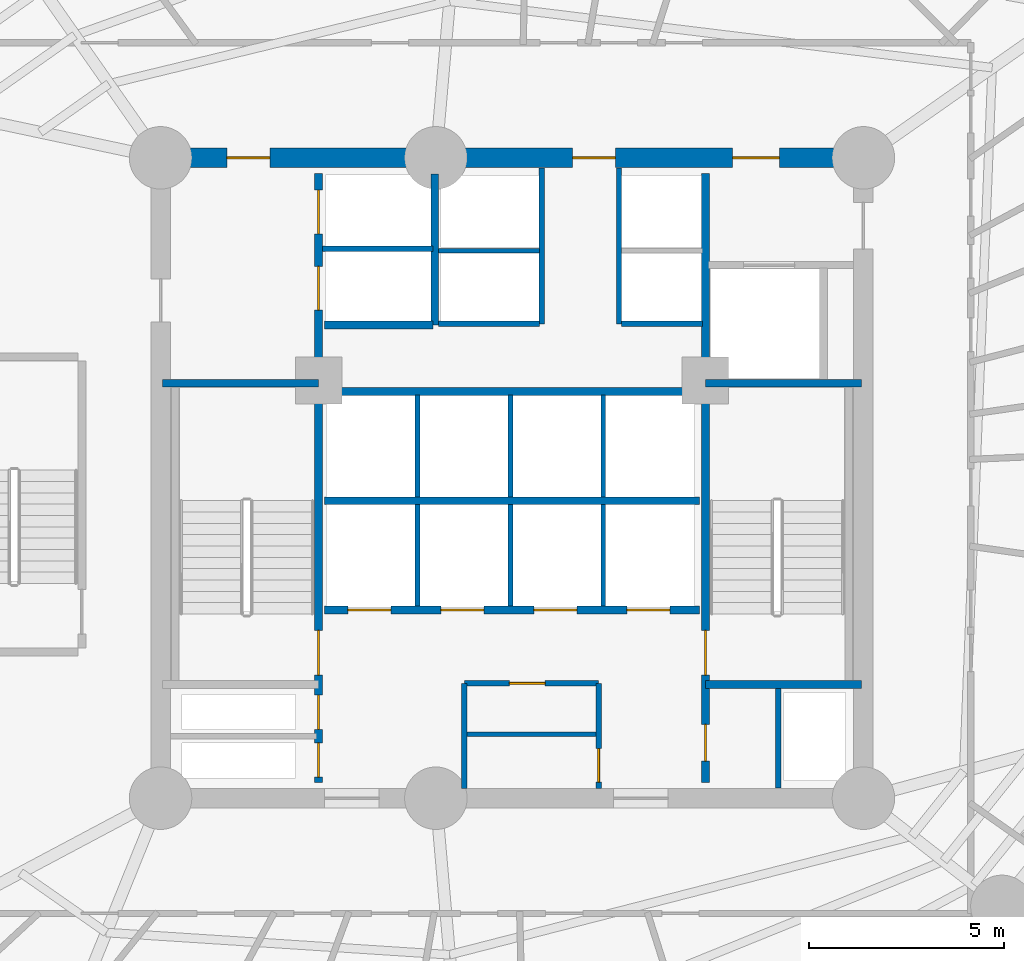
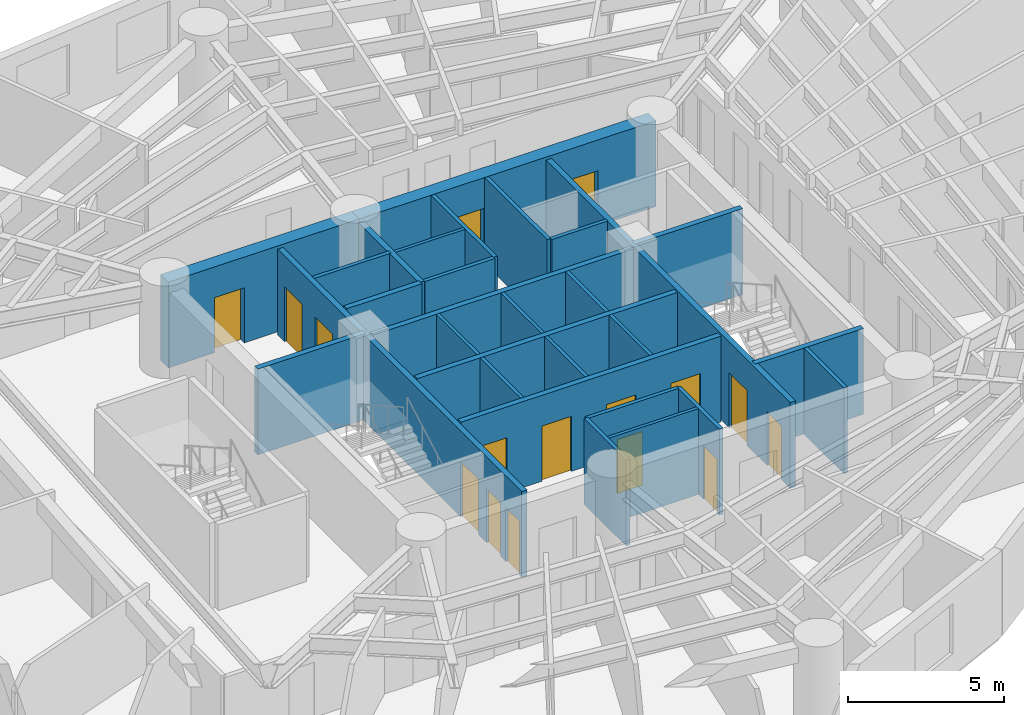
# One storey, part 4 of 9: 29 walls, 16 doors, 16 openings.
"""IFC4 building model written with IfcOpenShell, lengths in metres."""

from ifc_helpers import new_model, si_unit, direction, frame, frame_2d, origin, origin_with_axes, place, context, subcontext, project, spatial, rectangle, extrude, source, transform, mapped, material, layer, layer_set, type_object, element, fill, save


model = new_model("IFC4")

# Units and contexts
model_context = context("Model", 3, precision=1e-05, world=origin(), true_north=direction((0.0, 1.0)))
body_context = subcontext(model_context, "Body", "Model", "MODEL_VIEW")
ifc_project = project(units=[si_unit("LENGTHUNIT", "METRE"), si_unit("AREAUNIT", "SQUARE_METRE"), si_unit("VOLUMEUNIT", "CUBIC_METRE"), si_unit("PLANEANGLEUNIT", "RADIAN"), si_unit("MASSUNIT", "GRAM", prefix="KILO")], contexts=[model_context])

# Site, building, storey
site_placement = place(None, origin())
site = spatial("IfcSite", under=ifc_project, at=site_placement, CompositionType="ELEMENT")
building_placement = place(site_placement, origin())
building = spatial("IfcBuilding", under=site, at=building_placement, Name="Karkom Vertical University and Central Library", CompositionType="ELEMENT")
storey_placement = place(building_placement, frame((0.0, 0.0, 48.10009765625)))
storey = spatial("IfcBuildingStorey", under=building, at=storey_placement, Name="L12", CompositionType="ELEMENT", Elevation=48.10009765625)

# Walls
ifc_material_1 = material(Name="Moisture-resistant drywall 120mm", Category="gypsum")
ifc_layer_1 = layer(ifc_material_1, 0.1201171875)
ifc_layer_set_1 = layer_set([ifc_layer_1], Name="Moisture-resistant drywall 120mm")
wall_type_1 = type_object("IfcWallType", Name="INT-WL-INT-120", PredefinedType="PARTITIONING", material=ifc_layer_set_1)
wall_1_placement = place(storey_placement, frame((27.280029296875, 19.93994140625, 0.0), z_axis=(0.0, 0.0, 1.0), x_axis=(1.0, 0.0, 0.0)))
element("IfcWall", 1, at=wall_1_placement, inside=storey, type_object=wall_type_1, Name="Level 12 Interior Partition Wall L12-CW-K4-DIV", PredefinedType="PARTITIONING", context=body_context, shape_type="SweptSolid", body=[
    extrude(rectangle(XDim=3.43994140625, YDim=0.1201171875, at=frame_2d((1.719970703125, 0.0))), origin(), (0.0, 0.0, 1.0), 3.349853515625),
])
ifc_layer_2 = layer(ifc_material_1, 0.1201171875)
ifc_layer_set_2 = layer_set([ifc_layer_2], Name="Moisture-resistant drywall 120mm")
wall_type_2 = type_object("IfcWallType", Name="INT-WL-INT-120H", PredefinedType="PARTITIONING", material=ifc_layer_set_2)
for number, where, z_axis, x_axis, name in (
    (2, (26.080078125, 23.219970703125, 0.0), (0.0, 0.0, 1.0), (0.0, 1.0, 0.0), "Level 12 Interior Partition Wall L12-CW-PL-DIV1"),
    (3, (28.4599609375, 23.219970703125, 0.0), (0.0, 0.0, 1.0), (0.0, 1.0, 0.0), "Level 12 Interior Partition Wall L12-CW-PL-DIV2"),
    (4, (30.840087890625, 23.219970703125, 0.0), (0.0, 0.0, 1.0), (0.0, 1.0, 0.0), "Level 12 Interior Partition Wall L12-CW-PL-DIV3"),
    (5, (26.080078125, 26.02001953125, 0.0), (0.0, 0.0, 1.0), (0.0, 1.0, 0.0), "Level 12 Interior Partition Wall L12-CW-PM-DIV1"),
    (6, (28.4599609375, 26.02001953125, 0.0), (0.0, 0.0, 1.0), (0.0, 1.0, 0.0), "Level 12 Interior Partition Wall L12-CW-PM-DIV2"),
    (7, (30.840087890625, 26.02001953125, 0.0), (0.0, 0.0, 1.0), (0.0, 1.0, 0.0), "Level 12 Interior Partition Wall L12-CW-PM-DIV3"),
):
    element("IfcWall", number, at=place(storey_placement, frame(where, z_axis=z_axis, x_axis=x_axis)), inside=storey, type_object=wall_type_2, Name=name, PredefinedType="PARTITIONING", context=body_context, shape_type="SweptSolid", body=[
        extrude(rectangle(XDim=2.60009765625, YDim=0.1201171875, at=frame_2d((1.300048828125, 0.0))), origin(), (0.0, 0.0, 1.0), 3.349853515625),
    ])
wall_2_placement = place(storey_placement, frame((26.6201171875, 32.320068359375, 0.0), z_axis=(0.0, 0.0, 1.0), x_axis=(1.0, 0.0, 0.0)))
element("IfcWall", 8, at=wall_2_placement, inside=storey, type_object=wall_type_2, Name="Level 12 Interior Partition Wall L12-CW-PH-MW", PredefinedType="PARTITIONING", context=body_context, shape_type="SweptSolid", body=[
    extrude(rectangle(XDim=2.579833984375, YDim=0.1201171875, at=frame_2d((1.2900390625, 0.0))), origin(), (0.0, 0.0, 1.0), 3.349853515625),
])

# Wall, opening, door
ifc_material_2 = material(Name="Metal-stud gypsum partition 140mm", Category="gypsum")
ifc_layer_3 = layer(ifc_material_2, 0.139892578125)
ifc_layer_set_3 = layer_set([ifc_layer_3], Name="Metal-stud gypsum partition 140mm")
wall_type_3 = type_object("IfcWallType", Name="INT-WL-SUB-140", PredefinedType="PARTITIONING", material=ifc_layer_set_3)
wall_3_placement = place(storey_placement, frame((27.280029296875, 21.239990234375, 0.0), z_axis=(0.0, 0.0, 1.0), x_axis=(1.0, 0.0, 0.0)))
wall_3 = element("IfcWall", 9, at=wall_3_placement, inside=storey, type_object=wall_type_3, Name="Level 12 Interior Partition Wall L12-CW-KBAY-N", PredefinedType="PARTITIONING", context=body_context, shape_type="SweptSolid", body=[
    extrude(rectangle(XDim=3.43994140625, YDim=0.139892578125, at=frame_2d((1.719970703125, 0.0))), origin(), (0.0, 0.0, 1.0), 3.349853515625),
])
opening_1_placement = place(wall_3_placement, frame((1.14990234375, 0.0, 0.0)))
opening_1 = element("IfcOpeningElement", 10, at=opening_1_placement, cuts=wall_3, Name="Opening D-SVC1", PredefinedType="OPENING", context=body_context, shape_type="SweptSolid", body=[
    extrude(rectangle(XDim=0.919921875, YDim=2.10009765625, at=frame_2d((0.4599609375, 1.050048828125))), frame((0.0, 0.080078125, 0.0), z_axis=(0.0, -1.0, 0.0), x_axis=(1.0, 0.0, 0.0)), (0.0, 0.0, 1.0), 0.159912109375),
])
ifc_material_3 = material(Name="Painted timber service door", Category="wood")
door_type_1 = type_object("IfcDoorType", Name="INT-DR-SVC1", OperationType="NOTDEFINED", PredefinedType="DOOR", material=ifc_material_3)
shared_shape_1 = source(origin_with_axes(), body_context, "Body", "SweptSolid", [
    extrude(rectangle(XDim=0.919921875, YDim=2.10009765625, at=frame_2d((0.4599609375, 1.050048828125))), frame((0.0, 0.02490234375, 0.0), z_axis=(0.0, -1.0, 0.0), x_axis=(1.0, 0.0, 0.0)), (0.0, 0.0, 1.0), 0.050048828125),
])
door_1_placement = place(opening_1_placement, origin())
door_1 = element("IfcDoor", 11, at=door_1_placement, inside=storey, type_object=door_type_1, Name="Level 12 Valve Cupboard Door", OperationType="SINGLE_SWING_LEFT", OverallHeight=2.10009765625, OverallWidth=0.919921875, PredefinedType="DOOR", context=body_context, shape_type="MappedRepresentation", body=[
    mapped(shared_shape_1, transform((0.0, 0.0, 0.0), scale=1.0)),
])
fill(opening_1, door_1)

# Wall
wall_4_placement = place(storey_placement, frame((27.280029296875, 18.550048828125, 0.0), z_axis=(0.0, 0.0, 1.0), x_axis=(0.0, 1.0, 0.0)))
element("IfcWall", 12, at=wall_4_placement, inside=storey, type_object=wall_type_3, Name="Level 12 Interior Partition Wall L12-CW-KBAY-W", PredefinedType="PARTITIONING", context=body_context, shape_type="SweptSolid", body=[
    extrude(rectangle(XDim=2.68994140625, YDim=0.139892578125, at=frame_2d((1.344970703125, 0.0))), origin(), (0.0, 0.0, 1.0), 3.349853515625),
])

# Wall, opening, door
wall_5_placement = place(storey_placement, frame((30.719970703125, 18.550048828125, 0.0), z_axis=(0.0, 0.0, 1.0), x_axis=(0.0, 1.0, 0.0)))
wall_5 = element("IfcWall", 13, at=wall_5_placement, inside=storey, type_object=wall_type_3, Name="Level 12 Interior Partition Wall L12-CW-KBAY-E", PredefinedType="PARTITIONING", context=body_context, shape_type="SweptSolid", body=[
    extrude(rectangle(XDim=2.68994140625, YDim=0.139892578125, at=frame_2d((1.344970703125, 0.0))), origin(), (0.0, 0.0, 1.0), 3.349853515625),
])
opening_2_placement = place(wall_5_placement, frame((0.159912109375, 0.0, 0.0)))
opening_2 = element("IfcOpeningElement", 14, at=opening_2_placement, cuts=wall_5, Name="Opening FD-BTH1", PredefinedType="OPENING", context=body_context, shape_type="SweptSolid", body=[
    extrude(rectangle(XDim=0.860107421875, YDim=2.10009765625, at=frame_2d((0.43017578125, 1.050048828125))), frame((0.0, 0.080078125, 0.0), z_axis=(0.0, -1.0, 0.0), x_axis=(1.0, 0.0, 0.0)), (0.0, 0.0, 1.0), 0.159912109375),
])
ifc_material_4 = material(Name="Fire-rated moisture-resistant oak door", Category="wood")
door_type_2 = type_object("IfcDoorType", Name="INT-DR-FBTH1", OperationType="NOTDEFINED", PredefinedType="DOOR", material=ifc_material_4)
shared_shape_2 = source(origin_with_axes(), body_context, "Body", "SweptSolid", [
    extrude(rectangle(XDim=0.860107421875, YDim=2.10009765625, at=frame_2d((0.43017578125, 1.050048828125))), frame((0.0, 0.02490234375, 0.0), z_axis=(0.0, -1.0, 0.0), x_axis=(1.0, 0.0, 0.0)), (0.0, 0.0, 1.0), 0.050048828125),
])
door_2_placement = place(opening_2_placement, origin())
door_2 = element("IfcDoor", 15, at=door_2_placement, inside=storey, type_object=door_type_2, Name="Level 12 Metering Cupboard Door", OperationType="SINGLE_SWING_RIGHT", OverallHeight=2.10009765625, OverallWidth=0.860107421875, PredefinedType="DOOR", context=body_context, shape_type="MappedRepresentation", body=[
    mapped(shared_shape_2, transform((0.0, 0.0, 0.0), scale=1.0)),
])
fill(opening_2, door_2)

# Walls
ifc_layer_4 = layer(ifc_material_2, 0.139892578125)
ifc_layer_set_4 = layer_set([ifc_layer_4], Name="Metal-stud gypsum partition 140mm")
wall_type_4 = type_object("IfcWallType", Name="INT-WL-SUB-140H", PredefinedType="PARTITIONING", material=ifc_layer_set_4)
for number, where, z_axis, x_axis, name in (
    (16, (29.260009765625, 30.449951171875, 0.0), (0.0, 0.0, 1.0), (0.0, 1.0, 0.0), "Level 12 Interior Partition Wall L12-CW-PH-W"),
    (17, (31.239990234375, 30.449951171875, 0.0), (0.0, 0.0, 1.0), (0.0, 1.0, 0.0), "Level 12 Interior Partition Wall L12-CW-PH-E"),
):
    element("IfcWall", number, at=place(storey_placement, frame(where, z_axis=z_axis, x_axis=x_axis)), inside=storey, type_object=wall_type_4, Name=name, PredefinedType="PARTITIONING", context=body_context, shape_type="SweptSolid", body=[
        extrude(rectangle(XDim=3.9931640625, YDim=0.139892578125, at=frame_2d((1.99658203125, 0.0))), origin(), (0.0, 0.0, 1.0), 3.349853515625),
    ])
wall_6_placement = place(storey_placement, frame((26.6201171875, 30.449951171875, 0.0), z_axis=(0.0, 0.0, 1.0), x_axis=(1.0, 0.0, 0.0)))
element("IfcWall", 18, at=wall_6_placement, inside=storey, type_object=wall_type_4, Name="Level 12 Interior Partition Wall L12-CW-PH-S1", PredefinedType="PARTITIONING", context=body_context, shape_type="SweptSolid", body=[
    extrude(rectangle(XDim=2.579833984375, YDim=0.139892578125, at=frame_2d((1.2900390625, 0.0))), origin(), (0.0, 0.0, 1.0), 3.349853515625),
])
wall_7_placement = place(storey_placement, frame((35.320068359375, 18.556884765625, 0.0), z_axis=(0.0, 0.0, 1.0), x_axis=(0.0, 1.0, 0.0)))
element("IfcWall", 19, at=wall_7_placement, inside=storey, type_object=wall_type_4, Name="Level 12 Interior Partition Wall L12-CW-RIS-E", PredefinedType="PARTITIONING", context=body_context, shape_type="SweptSolid", body=[
    extrude(rectangle(XDim=2.553466796875, YDim=0.139892578125, at=frame_2d((1.27685546875, 0.0))), origin(), (0.0, 0.0, 1.0), 3.349853515625),
])
wall_8_placement = place(storey_placement, frame((31.300048828125, 30.449951171875, 0.0), z_axis=(0.0, 0.0, 1.0), x_axis=(1.0, 0.0, 0.0)))
element("IfcWall", 20, at=wall_8_placement, inside=storey, type_object=wall_type_4, Name="Level 12 Interior Partition Wall L12-CW-PH-S2", PredefinedType="PARTITIONING", context=body_context, shape_type="SweptSolid", body=[
    extrude(rectangle(XDim=2.074951171875, YDim=0.139892578125, at=frame_2d((1.03759765625, 0.0))), origin(), (0.0, 0.0, 1.0), 3.349853515625),
])
ifc_layer_5 = layer(ifc_material_2, 0.139892578125)
ifc_layer_set_5 = layer_set([ifc_layer_5], Name="Metal-stud gypsum partition 140mm")
wall_type_5 = type_object("IfcWallType", Name="INT-WL-SUB-140X", PredefinedType="PARTITIONING", material=ifc_layer_set_5)
wall_9_placement = place(storey_placement, frame((23.652099609375, 32.3701171875, 0.0), z_axis=(0.0, 0.0, 1.0), x_axis=(1.0, 0.0, 0.0)))
element("IfcWall", 21, at=wall_9_placement, inside=storey, type_object=wall_type_5, Name="Level 12 Interior Partition Wall L12-CW-FFL-M", PredefinedType="PARTITIONING", context=body_context, shape_type="SweptSolid", body=[
    extrude(rectangle(XDim=2.827880859375, YDim=0.139892578125, at=frame_2d((1.4140625, 0.0))), origin(), (0.0, 0.0, 1.0), 3.349853515625),
])

# Wall, openings, doors
ifc_material_5 = material(Name="Concrete C50/60", Category="concrete")
ifc_layer_6 = layer(ifc_material_5, 0.5)
ifc_layer_set_6 = layer_set([ifc_layer_6], Name="Concrete C50/60")
wall_type_6 = type_object("IfcWallType", Name="STR-WL-CW-500", PredefinedType="SHEAR", material=ifc_layer_set_6)
wall_10_placement = place(storey_placement, frame((37.5, 34.699951171875, 0.0), z_axis=(0.0, 0.0, 1.0), x_axis=(-1.0, 0.0, 0.0)))
wall_10 = element("IfcWall", 22, at=wall_10_placement, inside=storey, type_object=wall_type_6, Name="Level 12 Central Core Shear Wall NW1", PredefinedType="SHEAR", context=body_context, shape_type="SweptSolid", body=[
    extrude(rectangle(XDim=10.949951171875, YDim=0.5, at=frame_2d((5.47509765625, 0.0))), origin(), (0.0, 0.0, 1.0), 3.349853515625),
])
opening_3_placement = place(wall_10_placement, frame((2.14990234375, 0.0, 0.0)))
opening_3 = element("IfcOpeningElement", 23, at=opening_3_placement, cuts=wall_10, Name="Opening FD-SUB1", PredefinedType="OPENING", context=body_context, shape_type="SweptSolid", body=[
    extrude(rectangle(XDim=1.199951171875, YDim=2.14990234375, at=frame_2d((0.60009765625, 1.074951171875))), frame((0.0, 0.260009765625, 0.0), z_axis=(0.0, -1.0, 0.0), x_axis=(1.0, 0.0, 0.0)), (0.0, 0.0, 1.0), 0.52001953125),
])
opening_4_placement = place(wall_10_placement, frame((6.35009765625, 0.0, 0.0)))
opening_4 = element("IfcOpeningElement", 24, at=opening_4_placement, cuts=wall_10, Name="Opening FD-FFL", PredefinedType="OPENING", context=body_context, shape_type="SweptSolid", body=[
    extrude(rectangle(XDim=1.10009765625, YDim=2.14990234375, at=frame_2d((0.550048828125, 1.074951171875))), frame((0.0, 0.260009765625, 0.0), z_axis=(0.0, -1.0, 0.0), x_axis=(1.0, 0.0, 0.0)), (0.0, 0.0, 1.0), 0.52001953125),
])
ifc_material_6 = material(Name="Painted steel smoke-seal fire door", Category="steel")
door_type_3 = type_object("IfcDoorType", Name="INT-DR-FFL", OperationType="NOTDEFINED", PredefinedType="DOOR", material=ifc_material_6)
shared_shape_3 = source(origin_with_axes(), body_context, "Body", "SweptSolid", [
    extrude(rectangle(XDim=1.10009765625, YDim=2.14990234375, at=frame_2d((0.550048828125, 1.074951171875))), frame((0.0, 0.02490234375, 0.0), z_axis=(0.0, -1.0, 0.0), x_axis=(1.0, 0.0, 0.0)), (0.0, 0.0, 1.0), 0.050048828125),
])
door_3_placement = place(opening_4_placement, origin())
door_3 = element("IfcDoor", 25, at=door_3_placement, inside=storey, type_object=door_type_3, Name="Level 12 North Core Lobby Exit Door", OperationType="SINGLE_SWING_RIGHT", OverallHeight=2.14990234375, OverallWidth=1.10009765625, PredefinedType="DOOR", context=body_context, shape_type="MappedRepresentation", body=[
    mapped(shared_shape_3, transform((0.0, 0.0, 0.0), scale=1.0)),
])
fill(opening_4, door_3)
ifc_material_7 = material(Name="Painted steel fire door", Category="steel")
door_type_4 = type_object("IfcDoorType", Name="INT-DR-SUB1", OperationType="NOTDEFINED", PredefinedType="DOOR", material=ifc_material_7)
shared_shape_4 = source(origin_with_axes(), body_context, "Body", "SweptSolid", [
    extrude(rectangle(XDim=1.199951171875, YDim=2.14990234375, at=frame_2d((0.60009765625, 1.074951171875))), frame((0.0, 0.02490234375, 0.0), z_axis=(0.0, -1.0, 0.0), x_axis=(1.0, 0.0, 0.0)), (0.0, 0.0, 1.0), 0.050048828125),
])
door_4_placement = place(opening_3_placement, origin())
door_4 = element("IfcDoor", 26, at=door_4_placement, inside=storey, type_object=door_type_4, Name="Level 12 Service Lobby Fire Door", OperationType="SINGLE_SWING_RIGHT", OverallHeight=2.14990234375, OverallWidth=1.199951171875, PredefinedType="DOOR", context=body_context, shape_type="MappedRepresentation", body=[
    mapped(shared_shape_4, transform((0.0, 0.0, 0.0), scale=1.0)),
])
fill(opening_3, door_4)

# Wall, opening, door
wall_11_placement = place(storey_placement, frame((26.550048828125, 34.699951171875, 0.0), z_axis=(0.0, 0.0, 1.0), x_axis=(-1.0, 0.0, 0.0)))
wall_11 = element("IfcWall", 27, at=wall_11_placement, inside=storey, type_object=wall_type_6, Name="Level 12 Central Core Shear Wall NW2", PredefinedType="SHEAR", context=body_context, shape_type="SweptSolid", body=[
    extrude(rectangle(XDim=7.050048828125, YDim=0.5, at=frame_2d((3.52490234375, 0.0))), origin(), (0.0, 0.0, 1.0), 3.349853515625),
])
opening_5_placement = place(wall_11_placement, frame((4.25, 0.0, 0.0)))
opening_5 = element("IfcOpeningElement", 28, at=opening_5_placement, cuts=wall_11, Name="Opening FD-FFL", PredefinedType="OPENING", context=body_context, shape_type="SweptSolid", body=[
    extrude(rectangle(XDim=1.10009765625, YDim=2.14990234375, at=frame_2d((0.550048828125, 1.074951171875))), frame((0.0, 0.260009765625, 0.0), z_axis=(0.0, -1.0, 0.0), x_axis=(1.0, 0.0, 0.0)), (0.0, 0.0, 1.0), 0.52001953125),
])
door_5_placement = place(opening_5_placement, origin())
door_5 = element("IfcDoor", 29, at=door_5_placement, inside=storey, type_object=door_type_3, Name="Level 12 Firefighting Lobby Door", OperationType="SINGLE_SWING_LEFT", OverallHeight=2.14990234375, OverallWidth=1.10009765625, PredefinedType="DOOR", context=body_context, shape_type="MappedRepresentation", body=[
    mapped(shared_shape_3, transform((0.0, 0.0, 0.0), scale=1.0)),
])
fill(opening_5, door_5)

# Wall, openings, doors
ifc_material_8 = material(Name="Concrete C45/55", Category="concrete")
ifc_layer_7 = layer(ifc_material_8, 0.199951171875)
ifc_layer_set_7 = layer_set([ifc_layer_7], Name="Concrete C45/55")
wall_type_7 = type_object("IfcWallType", Name="STR-WL-ST-200", PredefinedType="SHEAR", material=ifc_layer_set_7)
wall_12_placement = place(storey_placement, frame((23.544921875, 18.699951171875, 0.0), z_axis=(0.0, 0.0, 1.0), x_axis=(0.0, 1.0, 0.0)))
wall_12 = element("IfcWall", 30, at=wall_12_placement, inside=storey, type_object=wall_type_7, Name="Level 12 Core Shaft Wall L12-CW-ST1-E", PredefinedType="SHEAR", context=body_context, shape_type="SweptSolid", body=[
    extrude(rectangle(XDim=15.60009765625, YDim=0.199951171875, at=frame_2d((7.800048828125, 0.0))), origin(), (0.0, 0.0, 1.0), 3.349853515625),
])
opening_6_placement = place(wall_12_placement, frame((2.75, 0.0, 0.0)))
opening_6 = element("IfcOpeningElement", 31, at=opening_6_placement, cuts=wall_12, Name="Opening FD-ST1", PredefinedType="OPENING", context=body_context, shape_type="SweptSolid", body=[
    extrude(rectangle(XDim=1.14990234375, YDim=2.14990234375, at=frame_2d((0.574951171875, 1.074951171875))), frame((0.0, 0.10986328125, 0.0), z_axis=(0.0, -1.0, 0.0), x_axis=(1.0, 0.0, 0.0)), (0.0, 0.0, 1.0), 0.219970703125),
])
opening_7_placement = place(wall_12_placement, frame((0.139892578125, 0.0, 0.0)))
opening_7 = element("IfcOpeningElement", 32, at=opening_7_placement, cuts=wall_12, Name="Opening FD-RIS", PredefinedType="OPENING", context=body_context, shape_type="SweptSolid", body=[
    extrude(rectangle(XDim=0.8798828125, YDim=2.10009765625, at=frame_2d((0.43994140625, 1.050048828125))), frame((0.0, 0.10986328125, 0.0), z_axis=(0.0, -1.0, 0.0), x_axis=(1.0, 0.0, 0.0)), (0.0, 0.0, 1.0), 0.219970703125),
])
opening_8_placement = place(wall_12_placement, frame((1.360107421875, 0.0, 0.0)))
opening_8 = element("IfcOpeningElement", 33, at=opening_8_placement, cuts=wall_12, Name="Opening FD-RIS", PredefinedType="OPENING", context=body_context, shape_type="SweptSolid", body=[
    extrude(rectangle(XDim=0.8798828125, YDim=2.10009765625, at=frame_2d((0.43994140625, 1.050048828125))), frame((0.0, 0.10986328125, 0.0), z_axis=(0.0, -1.0, 0.0), x_axis=(1.0, 0.0, 0.0)), (0.0, 0.0, 1.0), 0.219970703125),
])
opening_9_placement = place(wall_12_placement, frame((12.10009765625, 0.0, 0.0)))
opening_9 = element("IfcOpeningElement", 34, at=opening_9_placement, cuts=wall_12, Name="Opening LD-FFL", PredefinedType="OPENING", context=body_context, shape_type="SweptSolid", body=[
    extrude(rectangle(XDim=1.1201171875, YDim=2.14990234375, at=frame_2d((0.56005859375, 1.074951171875))), frame((0.0, 0.10986328125, 0.0), z_axis=(0.0, -1.0, 0.0), x_axis=(1.0, 0.0, 0.0)), (0.0, 0.0, 1.0), 0.219970703125),
])
opening_10_placement = place(wall_12_placement, frame((14.050048828125, 0.0, 0.0)))
opening_10 = element("IfcOpeningElement", 35, at=opening_10_placement, cuts=wall_12, Name="Opening LD-FFL", PredefinedType="OPENING", context=body_context, shape_type="SweptSolid", body=[
    extrude(rectangle(XDim=1.1201171875, YDim=2.14990234375, at=frame_2d((0.56005859375, 1.074951171875))), frame((0.0, 0.10986328125, 0.0), z_axis=(0.0, -1.0, 0.0), x_axis=(1.0, 0.0, 0.0)), (0.0, 0.0, 1.0), 0.219970703125),
])
ifc_material_9 = material(Name="Painted steel acoustic fire door", Category="steel")
door_type_5 = type_object("IfcDoorType", Name="INT-DR-ST1", OperationType="NOTDEFINED", PredefinedType="DOOR", material=ifc_material_9)
shared_shape_5 = source(origin_with_axes(), body_context, "Body", "SweptSolid", [
    extrude(rectangle(XDim=1.14990234375, YDim=2.14990234375, at=frame_2d((0.574951171875, 1.074951171875))), frame((0.0, 0.02490234375, 0.0), z_axis=(0.0, -1.0, 0.0), x_axis=(1.0, 0.0, 0.0)), (0.0, 0.0, 1.0), 0.050048828125),
])
door_6_placement = place(opening_6_placement, origin())
door_6 = element("IfcDoor", 36, at=door_6_placement, inside=storey, type_object=door_type_5, Name="Level 12 Stair ST-1 Fire Door", OperationType="SINGLE_SWING_LEFT", OverallHeight=2.14990234375, OverallWidth=1.14990234375, PredefinedType="DOOR", context=body_context, shape_type="MappedRepresentation", body=[
    mapped(shared_shape_5, transform((0.0, 0.0, 0.0), scale=1.0)),
])
fill(opening_6, door_6)
ifc_material_10 = material(Name="Painted steel riser access door", Category="steel")
door_type_6 = type_object("IfcDoorType", Name="INT-DR-RIS", OperationType="NOTDEFINED", PredefinedType="DOOR", material=ifc_material_10)
shared_shape_6 = source(origin_with_axes(), body_context, "Body", "SweptSolid", [
    extrude(rectangle(XDim=0.8798828125, YDim=2.10009765625, at=frame_2d((0.43994140625, 1.050048828125))), frame((0.0, 0.02490234375, 0.0), z_axis=(0.0, -1.0, 0.0), x_axis=(1.0, 0.0, 0.0)), (0.0, 0.0, 1.0), 0.050048828125),
])
door_7_placement = place(opening_7_placement, origin())
door_7 = element("IfcDoor", 37, at=door_7_placement, inside=storey, type_object=door_type_6, Name="Level 12 Electrical Riser Access Door", OperationType="SINGLE_SWING_LEFT", OverallHeight=2.10009765625, OverallWidth=0.8798828125, PredefinedType="DOOR", context=body_context, shape_type="MappedRepresentation", body=[
    mapped(shared_shape_6, transform((0.0, 0.0, 0.0), scale=1.0)),
])
fill(opening_7, door_7)
door_8_placement = place(opening_8_placement, origin())
door_8 = element("IfcDoor", 38, at=door_8_placement, inside=storey, type_object=door_type_6, Name="Level 12 Telecom Riser Access Door", OperationType="SINGLE_SWING_RIGHT", OverallHeight=2.10009765625, OverallWidth=0.8798828125, PredefinedType="DOOR", context=body_context, shape_type="MappedRepresentation", body=[
    mapped(shared_shape_6, transform((0.0, 0.0, 0.0), scale=1.0)),
])
fill(opening_8, door_8)
ifc_material_11 = material(Name="Fire-rated stainless-steel landing door", Category="steel")
door_type_7 = type_object("IfcDoorType", Name="INT-DR-LD-FFL", OperationType="SLIDING_TO_LEFT", PredefinedType="DOOR", material=ifc_material_11)
shared_shape_7 = source(origin_with_axes(), body_context, "Body", "SweptSolid", [
    extrude(rectangle(XDim=1.1201171875, YDim=2.14990234375, at=frame_2d((0.56005859375, 1.074951171875))), frame((0.0, 0.02490234375, 0.0), z_axis=(0.0, -1.0, 0.0), x_axis=(1.0, 0.0, 0.0)), (0.0, 0.0, 1.0), 0.050048828125),
])
door_9_placement = place(opening_9_placement, origin())
door_9 = element("IfcDoor", 39, at=door_9_placement, inside=storey, type_object=door_type_7, Name="Level 12 Firefighting Lift FFL-1 Landing Door", OperationType="SLIDING_TO_LEFT", OverallHeight=2.14990234375, OverallWidth=1.1201171875, PredefinedType="DOOR", context=body_context, shape_type="MappedRepresentation", body=[
    mapped(shared_shape_7, transform((0.0, 0.0, 0.0), scale=1.0)),
])
fill(opening_9, door_9)
door_10_placement = place(opening_10_placement, origin())
door_10 = element("IfcDoor", 40, at=door_10_placement, inside=storey, type_object=door_type_7, Name="Level 12 Firefighting Lift FFL-2 Landing Door", OperationType="SLIDING_TO_RIGHT", OverallHeight=2.14990234375, OverallWidth=1.1201171875, PredefinedType="DOOR", context=body_context, shape_type="MappedRepresentation", body=[
    mapped(shared_shape_7, transform((0.0, 0.0, 0.0), scale=1.0)),
])
fill(opening_10, door_10)

wall_13_placement = place(storey_placement, frame((33.455078125, 18.699951171875, 0.0), z_axis=(0.0, 0.0, 1.0), x_axis=(0.0, 1.0, 0.0)))
wall_13 = element("IfcWall", 41, at=wall_13_placement, inside=storey, type_object=wall_type_7, Name="Level 12 Core Shaft Wall L12-CW-ST2-W", PredefinedType="SHEAR", context=body_context, shape_type="SweptSolid", body=[
    extrude(rectangle(XDim=15.60009765625, YDim=0.199951171875, at=frame_2d((7.800048828125, 0.0))), origin(), (0.0, 0.0, 1.0), 3.349853515625),
])
opening_11_placement = place(wall_13_placement, frame((2.75, 0.0, 0.0)))
opening_11 = element("IfcOpeningElement", 42, at=opening_11_placement, cuts=wall_13, Name="Opening FD-ST1", PredefinedType="OPENING", context=body_context, shape_type="SweptSolid", body=[
    extrude(rectangle(XDim=1.14990234375, YDim=2.14990234375, at=frame_2d((0.574951171875, 1.074951171875))), frame((0.0, 0.10986328125, 0.0), z_axis=(0.0, -1.0, 0.0), x_axis=(1.0, 0.0, 0.0)), (0.0, 0.0, 1.0), 0.219970703125),
])
opening_12_placement = place(wall_13_placement, frame((0.550048828125, 0.0, 0.0)))
opening_12 = element("IfcOpeningElement", 43, at=opening_12_placement, cuts=wall_13, Name="Opening D-WC1", PredefinedType="OPENING", context=body_context, shape_type="SweptSolid", body=[
    extrude(rectangle(XDim=0.93994140625, YDim=2.10009765625, at=frame_2d((0.469970703125, 1.050048828125))), frame((0.0, 0.10986328125, 0.0), z_axis=(0.0, -1.0, 0.0), x_axis=(1.0, 0.0, 0.0)), (0.0, 0.0, 1.0), 0.219970703125),
])
door_11_placement = place(opening_11_placement, origin())
door_11 = element("IfcDoor", 44, at=door_11_placement, inside=storey, type_object=door_type_5, Name="Level 12 Stair ST-2 Fire Door", OperationType="SINGLE_SWING_RIGHT", OverallHeight=2.14990234375, OverallWidth=1.14990234375, PredefinedType="DOOR", context=body_context, shape_type="MappedRepresentation", body=[
    mapped(shared_shape_5, transform((0.0, 0.0, 0.0), scale=1.0)),
])
fill(opening_11, door_11)
ifc_material_12 = material(Name="Fire-rated laminate moisture-resistant door", Category="wood")
door_type_8 = type_object("IfcDoorType", Name="INT-DR-WC1", OperationType="NOTDEFINED", PredefinedType="DOOR", material=ifc_material_12)
shared_shape_8 = source(origin_with_axes(), body_context, "Body", "SweptSolid", [
    extrude(rectangle(XDim=0.93994140625, YDim=2.10009765625, at=frame_2d((0.469970703125, 1.050048828125))), frame((0.0, 0.02490234375, 0.0), z_axis=(0.0, -1.0, 0.0), x_axis=(1.0, 0.0, 0.0)), (0.0, 0.0, 1.0), 0.050048828125),
])
door_12_placement = place(opening_12_placement, origin())
door_12 = element("IfcDoor", 45, at=door_12_placement, inside=storey, type_object=door_type_8, Name="Level 12 Accessible WC Door", OperationType="SINGLE_SWING_LEFT", OverallHeight=2.10009765625, OverallWidth=0.93994140625, PredefinedType="DOOR", context=body_context, shape_type="MappedRepresentation", body=[
    mapped(shared_shape_8, transform((0.0, 0.0, 0.0), scale=1.0)),
])
fill(opening_12, door_12)

wall_14_placement = place(storey_placement, frame((23.699951171875, 23.1201171875, 0.0), z_axis=(0.0, 0.0, 1.0), x_axis=(1.0, 0.0, 0.0)))
wall_14 = element("IfcWall", 46, at=wall_14_placement, inside=storey, type_object=wall_type_7, Name="Level 12 Core Shaft Wall L12-CW-B1-S", PredefinedType="SHEAR", context=body_context, shape_type="SweptSolid", body=[
    extrude(rectangle(XDim=9.60009765625, YDim=0.199951171875, at=frame_2d((4.800048828125, 0.0))), origin(), (0.0, 0.0, 1.0), 3.349853515625),
])
opening_13_placement = place(wall_14_placement, frame((0.60009765625, 0.0, 0.0)))
opening_13 = element("IfcOpeningElement", 47, at=opening_13_placement, cuts=wall_14, Name="Opening LD-PAX", PredefinedType="OPENING", context=body_context, shape_type="SweptSolid", body=[
    extrude(rectangle(XDim=1.10009765625, YDim=2.14990234375, at=frame_2d((0.550048828125, 1.074951171875))), frame((0.0, 0.10986328125, 0.0), z_axis=(0.0, -1.0, 0.0), x_axis=(1.0, 0.0, 0.0)), (0.0, 0.0, 1.0), 0.219970703125),
])
opening_14_placement = place(wall_14_placement, frame((2.97998046875, 0.0, 0.0)))
opening_14 = element("IfcOpeningElement", 48, at=opening_14_placement, cuts=wall_14, Name="Opening LD-PAX", PredefinedType="OPENING", context=body_context, shape_type="SweptSolid", body=[
    extrude(rectangle(XDim=1.10009765625, YDim=2.14990234375, at=frame_2d((0.550048828125, 1.074951171875))), frame((0.0, 0.10986328125, 0.0), z_axis=(0.0, -1.0, 0.0), x_axis=(1.0, 0.0, 0.0)), (0.0, 0.0, 1.0), 0.219970703125),
])
opening_15_placement = place(wall_14_placement, frame((5.360107421875, 0.0, 0.0)))
opening_15 = element("IfcOpeningElement", 49, at=opening_15_placement, cuts=wall_14, Name="Opening LD-PAX", PredefinedType="OPENING", context=body_context, shape_type="SweptSolid", body=[
    extrude(rectangle(XDim=1.10009765625, YDim=2.14990234375, at=frame_2d((0.550048828125, 1.074951171875))), frame((0.0, 0.10986328125, 0.0), z_axis=(0.0, -1.0, 0.0), x_axis=(1.0, 0.0, 0.0)), (0.0, 0.0, 1.0), 0.219970703125),
])
opening_16_placement = place(wall_14_placement, frame((7.739990234375, 0.0, 0.0)))
opening_16 = element("IfcOpeningElement", 50, at=opening_16_placement, cuts=wall_14, Name="Opening LD-PAX", PredefinedType="OPENING", context=body_context, shape_type="SweptSolid", body=[
    extrude(rectangle(XDim=1.10009765625, YDim=2.14990234375, at=frame_2d((0.550048828125, 1.074951171875))), frame((0.0, 0.10986328125, 0.0), z_axis=(0.0, -1.0, 0.0), x_axis=(1.0, 0.0, 0.0)), (0.0, 0.0, 1.0), 0.219970703125),
])
ifc_material_13 = material(Name="Brushed stainless-steel landing door", Category="steel")
door_type_9 = type_object("IfcDoorType", Name="INT-DR-LD-PAX", OperationType="SLIDING_TO_LEFT", PredefinedType="DOOR", material=ifc_material_13)
door_13_placement = place(opening_13_placement, origin())
door_13 = element("IfcDoor", 51, at=door_13_placement, inside=storey, type_object=door_type_9, Name="Level 12 Lift PL-1 Landing Door", OperationType="SLIDING_TO_LEFT", OverallHeight=2.14990234375, OverallWidth=1.10009765625, PredefinedType="DOOR", context=body_context, shape_type="MappedRepresentation", body=[
    mapped(shared_shape_3, transform((0.0, 0.0, 0.0), scale=1.0)),
])
fill(opening_13, door_13)
door_14_placement = place(opening_14_placement, origin())
door_14 = element("IfcDoor", 52, at=door_14_placement, inside=storey, type_object=door_type_9, Name="Level 12 Lift PL-2 Landing Door", OperationType="SLIDING_TO_RIGHT", OverallHeight=2.14990234375, OverallWidth=1.10009765625, PredefinedType="DOOR", context=body_context, shape_type="MappedRepresentation", body=[
    mapped(shared_shape_3, transform((0.0, 0.0, 0.0), scale=1.0)),
])
fill(opening_14, door_14)
door_15_placement = place(opening_15_placement, origin())
door_15 = element("IfcDoor", 53, at=door_15_placement, inside=storey, type_object=door_type_9, Name="Level 12 Lift PL-3 Landing Door", OperationType="SLIDING_TO_LEFT", OverallHeight=2.14990234375, OverallWidth=1.10009765625, PredefinedType="DOOR", context=body_context, shape_type="MappedRepresentation", body=[
    mapped(shared_shape_3, transform((0.0, 0.0, 0.0), scale=1.0)),
])
fill(opening_15, door_15)
door_16_placement = place(opening_16_placement, origin())
door_16 = element("IfcDoor", 54, at=door_16_placement, inside=storey, type_object=door_type_9, Name="Level 12 Lift PL-4 Landing Door", OperationType="SLIDING_TO_RIGHT", OverallHeight=2.14990234375, OverallWidth=1.10009765625, PredefinedType="DOOR", context=body_context, shape_type="MappedRepresentation", body=[
    mapped(shared_shape_3, transform((0.0, 0.0, 0.0), scale=1.0)),
])
fill(opening_16, door_16)

# Walls
for number, where, z_axis, x_axis, name in (
    (55, (23.699951171875, 25.919921875, 0.0), (0.0, 0.0, 1.0), (1.0, 0.0, 0.0), "Level 12 Core Shaft Wall L12-CW-B1-N"),
    (56, (23.699951171875, 28.719970703125, 0.0), (0.0, 0.0, 1.0), (1.0, 0.0, 0.0), "Level 12 Core Shaft Wall L12-CW-B2-N"),
):
    element("IfcWall", number, at=place(storey_placement, frame(where, z_axis=z_axis, x_axis=x_axis)), inside=storey, type_object=wall_type_7, Name=name, PredefinedType="SHEAR", context=body_context, shape_type="SweptSolid", body=[
        extrude(rectangle(XDim=9.60009765625, YDim=0.199951171875, at=frame_2d((4.800048828125, 0.0))), origin(), (0.0, 0.0, 1.0), 3.349853515625),
    ])
for number, where, z_axis, x_axis, name in (
    (57, (33.455078125, 21.215087890625, 0.0), (0.0, 0.0, 1.0), (1.0, 0.0, 0.0), "Level 12 Core Shaft Wall L12-CW-ST2-S"),
    (58, (33.455078125, 28.925048828125, 0.0), (0.0, 0.0, 1.0), (1.0, 0.0, 0.0), "Level 12 Core Shaft Wall L12-CW-ST2-N"),
    (59, (19.550048828125, 28.925048828125, 0.0), (0.0, 0.0, 1.0), (1.0, 0.0, 0.0), "Level 12 Core Shaft Wall L12-CW-ST1-N"),
):
    element("IfcWall", number, at=place(storey_placement, frame(where, z_axis=z_axis, x_axis=x_axis)), inside=storey, type_object=wall_type_7, Name=name, PredefinedType="SHEAR", context=body_context, shape_type="SweptSolid", body=[
        extrude(rectangle(XDim=3.994873046875, YDim=0.199951171875, at=frame_2d((1.99755859375, 0.0))), origin(), (0.0, 0.0, 1.0), 3.349853515625),
    ])
wall_15_placement = place(storey_placement, frame((26.52001953125, 30.419921875, 0.0), z_axis=(0.0, 0.0, 1.0), x_axis=(0.0, 1.0, 0.0)))
element("IfcWall", 60, at=wall_15_placement, inside=storey, type_object=wall_type_7, Name="Level 12 Core Shaft Wall L12-CW-FFL-E", PredefinedType="SHEAR", context=body_context, shape_type="SweptSolid", body=[
    extrude(rectangle(XDim=3.860107421875, YDim=0.199951171875, at=frame_2d((1.93017578125, 0.0))), origin(), (0.0, 0.0, 1.0), 3.349853515625),
])
wall_16_placement = place(storey_placement, frame((23.699951171875, 30.419921875, 0.0), z_axis=(0.0, 0.0, 1.0), x_axis=(1.0, 0.0, 0.0)))
element("IfcWall", 61, at=wall_16_placement, inside=storey, type_object=wall_type_7, Name="Level 12 Core Shaft Wall L12-CW-FFL-S", PredefinedType="SHEAR", context=body_context, shape_type="SweptSolid", body=[
    extrude(rectangle(XDim=2.780029296875, YDim=0.199951171875, at=frame_2d((1.39013671875, 0.0))), origin(), (0.0, 0.0, 1.0), 3.349853515625),
])

save(model, "model.ifc")
